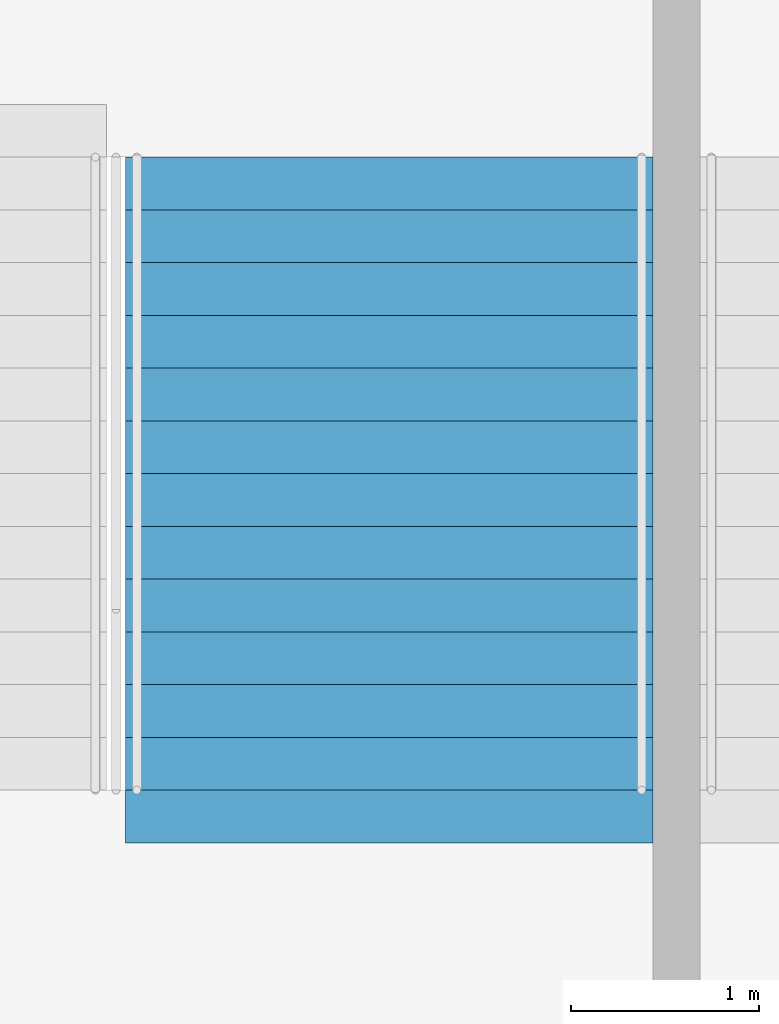
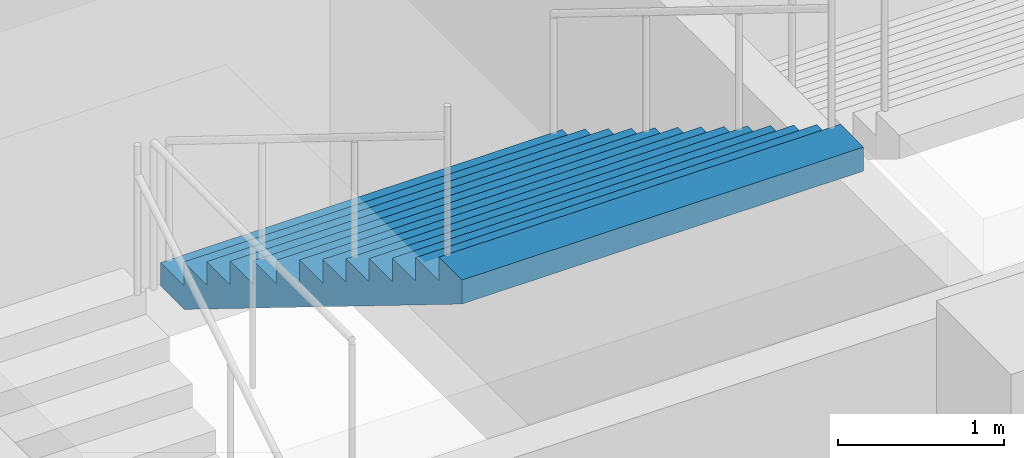
# One storey, part 168 of 199: 1 stair flight, 1 element without a shape of its own.
"""IFC4 building model written with IfcOpenShell, lengths in metres."""

from ifc_helpers import new_model, si_unit, direction, frame, origin, place, context, subcontext, project, spatial, faceted_brep, material, type_object, element, aggregate, save


model = new_model("IFC4")

# Units and contexts
model_context = context("Model", 3, precision=1e-05, world=origin(), true_north=direction((0.0, 1.0)))
body_context = subcontext(model_context, "Body", "Model", "MODEL_VIEW")
ifc_project = project(units=[si_unit("LENGTHUNIT", "METRE"), si_unit("AREAUNIT", "SQUARE_METRE"), si_unit("VOLUMEUNIT", "CUBIC_METRE"), si_unit("PLANEANGLEUNIT", "RADIAN"), si_unit("MASSUNIT", "GRAM", prefix="KILO")], contexts=[model_context])

# Site, building, storey
site_placement = place(None, origin())
site = spatial("IfcSite", under=ifc_project, at=site_placement, CompositionType="ELEMENT")
building_placement = place(site_placement, origin())
building = spatial("IfcBuilding", under=site, at=building_placement, Name="Ogive Plaza Stadium", CompositionType="ELEMENT")
storey_placement = place(building_placement, frame((0.0, 0.0, 9.0)))
storey = spatial("IfcBuildingStorey", under=building, at=storey_placement, Name="L02", CompositionType="ELEMENT", Elevation=9.0)

# Stair, stair flight
ifc_material_1 = material(Name="Concrete C40/50", Category="concrete")
stair_type = type_object("IfcStairType", Name="Exit stair", PredefinedType="STRAIGHT_RUN_STAIR", material=ifc_material_1)
stair_placement = place(storey_placement, origin())
stair = element("IfcStair", 1, at=stair_placement, inside=storey, type_object=stair_type, Name="Exit stair ST36B L02 to L03", PredefinedType="STRAIGHT_RUN_STAIR")
ifc_material_2 = material(Name="Concrete C40/50", Category="concrete")
stair_flight_type = type_object("IfcStairFlightType", Name="Exit stair flight", PredefinedType="STRAIGHT", material=ifc_material_2)
stair_flight_placement = place(storey_placement, frame((18.875, 98.2099609375, 2.25), z_axis=(0.0, 0.0, 1.0), x_axis=(0.0, -1.0, 0.0)))
stair_flight = element("IfcStairFlight", 2, at=stair_flight_placement, type_object=stair_flight_type, Name="ST36B flight 2", NumberOfRisers=13, NumberOfTreads=12, PredefinedType="STRAIGHT", RiserHeight=0.173076923, TreadLength=0.28, context=body_context, shape_type="Brep", body=[
    faceted_brep([(0.28515625, -1.39990234375, 0.0), (3.639892578125, -1.39990234375, 2.07373046875), (3.639892578125, -1.39990234375, 2.25), (3.360107421875, -1.39990234375, 2.25), (3.360107421875, -1.39990234375, 2.076904296875), (3.080078125, -1.39990234375, 2.076904296875), (3.080078125, -1.39990234375, 1.90380859375), (2.800048828125, -1.39990234375, 1.90380859375), (2.800048828125, -1.39990234375, 1.730712890625), (2.52001953125, -1.39990234375, 1.730712890625), (2.52001953125, -1.39990234375, 1.5576171875), (2.239990234375, -1.39990234375, 1.5576171875), (2.239990234375, -1.39990234375, 1.384521484375), (1.9599609375, -1.39990234375, 1.384521484375), (1.9599609375, -1.39990234375, 1.21142578125), (1.679931640625, -1.39990234375, 1.21142578125), (1.679931640625, -1.39990234375, 1.03857421875), (1.39990234375, -1.39990234375, 1.03857421875), (1.39990234375, -1.39990234375, 0.865478515625), (1.1201171875, -1.39990234375, 0.865478515625), (1.1201171875, -1.39990234375, 0.6923828125), (0.840087890625, -1.39990234375, 0.6923828125), (0.840087890625, -1.39990234375, 0.519287109375), (0.56005859375, -1.39990234375, 0.519287109375), (0.56005859375, -1.39990234375, 0.34619140625), (0.280029296875, -1.39990234375, 0.34619140625), (0.280029296875, -1.39990234375, 0.173095703125), (0.0, -1.39990234375, 0.173095703125), (0.0, -1.39990234375, 0.0), (0.0, 1.39990234375, 0.0), (0.0, 1.39990234375, 0.173095703125), (0.280029296875, 1.39990234375, 0.173095703125), (0.280029296875, 1.39990234375, 0.34619140625), (0.56005859375, 1.39990234375, 0.34619140625), (0.56005859375, 1.39990234375, 0.519287109375), (0.840087890625, 1.39990234375, 0.519287109375), (0.840087890625, 1.39990234375, 0.6923828125), (1.1201171875, 1.39990234375, 0.6923828125), (1.1201171875, 1.39990234375, 0.865478515625), (1.39990234375, 1.39990234375, 0.865478515625), (1.39990234375, 1.39990234375, 1.03857421875), (1.679931640625, 1.39990234375, 1.03857421875), (1.679931640625, 1.39990234375, 1.21142578125), (1.9599609375, 1.39990234375, 1.21142578125), (1.9599609375, 1.39990234375, 1.384521484375), (2.239990234375, 1.39990234375, 1.384521484375), (2.239990234375, 1.39990234375, 1.5576171875), (2.52001953125, 1.39990234375, 1.5576171875), (2.52001953125, 1.39990234375, 1.730712890625), (2.800048828125, 1.39990234375, 1.730712890625), (2.800048828125, 1.39990234375, 1.90380859375), (3.080078125, 1.39990234375, 1.90380859375), (3.080078125, 1.39990234375, 2.076904296875), (3.360107421875, 1.39990234375, 2.076904296875), (3.360107421875, 1.39990234375, 2.25), (3.639892578125, 1.39990234375, 2.25), (3.639892578125, 1.39990234375, 2.07373046875), (0.28515625, 1.39990234375, 0.0), (0.28515625, -1.0888671875, 0.0), (3.639892578125, -1.0888671875, 2.07373046875), (0.28515625, -0.77783203125, 0.0), (3.639892578125, -0.77783203125, 2.07373046875), (0.28515625, -0.466796875, 0.0), (3.639892578125, -0.466796875, 2.07373046875), (0.28515625, -0.155517578125, 0.0), (3.639892578125, -0.155517578125, 2.07373046875), (0.28515625, 0.155517578125, 0.0), (3.639892578125, 0.155517578125, 2.07373046875), (0.28515625, 0.466796875, 0.0), (3.639892578125, 0.466796875, 2.07373046875), (0.28515625, 0.77783203125, 0.0), (3.639892578125, 0.77783203125, 2.07373046875), (0.28515625, 1.0888671875, 0.0), (3.639892578125, 1.0888671875, 2.07373046875), (3.639892578125, -1.0888671875, 2.25), (3.639892578125, -0.77783203125, 2.25), (3.639892578125, -0.466796875, 2.25), (3.639892578125, -0.155517578125, 2.25), (3.639892578125, 0.155517578125, 2.25), (3.639892578125, 0.466796875, 2.25), (3.639892578125, 0.77783203125, 2.25), (3.639892578125, 1.0888671875, 2.25), (3.360107421875, -1.0888671875, 2.25), (3.360107421875, -0.77783203125, 2.25), (3.360107421875, -0.466796875, 2.25), (3.360107421875, -0.155517578125, 2.25), (3.360107421875, 0.155517578125, 2.25), (3.360107421875, 0.466796875, 2.25), (3.360107421875, 0.77783203125, 2.25), (3.360107421875, 1.0888671875, 2.25), (3.360107421875, -1.0888671875, 2.076904296875), (3.360107421875, -0.77783203125, 2.076904296875), (3.360107421875, -0.466796875, 2.076904296875), (3.360107421875, -0.155517578125, 2.076904296875), (3.360107421875, 0.155517578125, 2.076904296875), (3.360107421875, 0.466796875, 2.076904296875), (3.360107421875, 0.77783203125, 2.076904296875), (3.360107421875, 1.0888671875, 2.076904296875), (3.080078125, -1.0888671875, 2.076904296875), (3.080078125, -0.77783203125, 2.076904296875), (3.080078125, -0.466796875, 2.076904296875), (3.080078125, -0.155517578125, 2.076904296875), (3.080078125, 0.155517578125, 2.076904296875), (3.080078125, 0.466796875, 2.076904296875), (3.080078125, 0.77783203125, 2.076904296875), (3.080078125, 1.0888671875, 2.076904296875), (3.080078125, -1.0888671875, 1.90380859375), (3.080078125, -0.77783203125, 1.90380859375), (3.080078125, -0.466796875, 1.90380859375), (3.080078125, -0.155517578125, 1.90380859375), (3.080078125, 0.155517578125, 1.90380859375), (3.080078125, 0.466796875, 1.90380859375), (3.080078125, 0.77783203125, 1.90380859375), (3.080078125, 1.0888671875, 1.90380859375), (2.800048828125, -1.0888671875, 1.90380859375), (2.800048828125, -0.77783203125, 1.90380859375), (2.800048828125, -0.466796875, 1.90380859375), (2.800048828125, -0.155517578125, 1.90380859375), (2.800048828125, 0.155517578125, 1.90380859375), (2.800048828125, 0.466796875, 1.90380859375), (2.800048828125, 0.77783203125, 1.90380859375), (2.800048828125, 1.0888671875, 1.90380859375), (2.800048828125, -1.0888671875, 1.730712890625), (2.800048828125, -0.77783203125, 1.730712890625), (2.800048828125, -0.466796875, 1.730712890625), (2.800048828125, -0.155517578125, 1.730712890625), (2.800048828125, 0.155517578125, 1.730712890625), (2.800048828125, 0.466796875, 1.730712890625), (2.800048828125, 0.77783203125, 1.730712890625), (2.800048828125, 1.0888671875, 1.730712890625), (2.52001953125, -1.0888671875, 1.730712890625), (2.52001953125, -0.77783203125, 1.730712890625), (2.52001953125, -0.466796875, 1.730712890625), (2.52001953125, -0.155517578125, 1.730712890625), (2.52001953125, 0.155517578125, 1.730712890625), (2.52001953125, 0.466796875, 1.730712890625), (2.52001953125, 0.77783203125, 1.730712890625), (2.52001953125, 1.0888671875, 1.730712890625), (2.52001953125, -1.0888671875, 1.5576171875), (2.52001953125, -0.77783203125, 1.5576171875), (2.52001953125, -0.466796875, 1.5576171875), (2.52001953125, -0.155517578125, 1.5576171875), (2.52001953125, 0.155517578125, 1.5576171875), (2.52001953125, 0.466796875, 1.5576171875), (2.52001953125, 0.77783203125, 1.5576171875), (2.52001953125, 1.0888671875, 1.5576171875), (2.239990234375, -1.0888671875, 1.5576171875), (2.239990234375, -0.77783203125, 1.5576171875), (2.239990234375, -0.466796875, 1.5576171875), (2.239990234375, -0.155517578125, 1.5576171875), (2.239990234375, 0.155517578125, 1.5576171875), (2.239990234375, 0.466796875, 1.5576171875), (2.239990234375, 0.77783203125, 1.5576171875), (2.239990234375, 1.0888671875, 1.5576171875), (2.239990234375, -1.0888671875, 1.384521484375), (2.239990234375, -0.77783203125, 1.384521484375), (2.239990234375, -0.466796875, 1.384521484375), (2.239990234375, -0.155517578125, 1.384521484375), (2.239990234375, 0.155517578125, 1.384521484375), (2.239990234375, 0.466796875, 1.384521484375), (2.239990234375, 0.77783203125, 1.384521484375), (2.239990234375, 1.0888671875, 1.384521484375), (1.9599609375, -1.0888671875, 1.384521484375), (1.9599609375, -0.77783203125, 1.384521484375), (1.9599609375, -0.466796875, 1.384521484375), (1.9599609375, -0.155517578125, 1.384521484375), (1.9599609375, 0.155517578125, 1.384521484375), (1.9599609375, 0.466796875, 1.384521484375), (1.9599609375, 0.77783203125, 1.384521484375), (1.9599609375, 1.0888671875, 1.384521484375), (1.9599609375, -1.0888671875, 1.21142578125), (1.9599609375, -0.77783203125, 1.21142578125), (1.9599609375, -0.466796875, 1.21142578125), (1.9599609375, -0.155517578125, 1.21142578125), (1.9599609375, 0.155517578125, 1.21142578125), (1.9599609375, 0.466796875, 1.21142578125), (1.9599609375, 0.77783203125, 1.21142578125), (1.9599609375, 1.0888671875, 1.21142578125), (1.679931640625, -1.0888671875, 1.21142578125), (1.679931640625, -0.77783203125, 1.21142578125), (1.679931640625, -0.466796875, 1.21142578125), (1.679931640625, -0.155517578125, 1.21142578125), (1.679931640625, 0.155517578125, 1.21142578125), (1.679931640625, 0.466796875, 1.21142578125), (1.679931640625, 0.77783203125, 1.21142578125), (1.679931640625, 1.0888671875, 1.21142578125), (1.679931640625, -1.0888671875, 1.03857421875), (1.679931640625, -0.77783203125, 1.03857421875), (1.679931640625, -0.466796875, 1.03857421875), (1.679931640625, -0.155517578125, 1.03857421875), (1.679931640625, 0.155517578125, 1.03857421875), (1.679931640625, 0.466796875, 1.03857421875), (1.679931640625, 0.77783203125, 1.03857421875), (1.679931640625, 1.0888671875, 1.03857421875), (1.39990234375, -1.0888671875, 1.03857421875), (1.39990234375, -0.77783203125, 1.03857421875), (1.39990234375, -0.466796875, 1.03857421875), (1.39990234375, -0.155517578125, 1.03857421875), (1.39990234375, 0.155517578125, 1.03857421875), (1.39990234375, 0.466796875, 1.03857421875), (1.39990234375, 0.77783203125, 1.03857421875), (1.39990234375, 1.0888671875, 1.03857421875), (1.39990234375, -1.0888671875, 0.865478515625), (1.39990234375, -0.77783203125, 0.865478515625), (1.39990234375, -0.466796875, 0.865478515625), (1.39990234375, -0.155517578125, 0.865478515625), (1.39990234375, 0.155517578125, 0.865478515625), (1.39990234375, 0.466796875, 0.865478515625), (1.39990234375, 0.77783203125, 0.865478515625), (1.39990234375, 1.0888671875, 0.865478515625), (1.1201171875, -1.0888671875, 0.865478515625), (1.1201171875, -0.77783203125, 0.865478515625), (1.1201171875, -0.466796875, 0.865478515625), (1.1201171875, -0.155517578125, 0.865478515625), (1.1201171875, 0.155517578125, 0.865478515625), (1.1201171875, 0.466796875, 0.865478515625), (1.1201171875, 0.77783203125, 0.865478515625), (1.1201171875, 1.0888671875, 0.865478515625), (1.1201171875, -1.0888671875, 0.6923828125), (1.1201171875, -0.77783203125, 0.6923828125), (1.1201171875, -0.466796875, 0.6923828125), (1.1201171875, -0.155517578125, 0.6923828125), (1.1201171875, 0.155517578125, 0.6923828125), (1.1201171875, 0.466796875, 0.6923828125), (1.1201171875, 0.77783203125, 0.6923828125), (1.1201171875, 1.0888671875, 0.6923828125), (0.840087890625, -1.0888671875, 0.6923828125), (0.840087890625, -0.77783203125, 0.6923828125), (0.840087890625, -0.466796875, 0.6923828125), (0.840087890625, -0.155517578125, 0.6923828125), (0.840087890625, 0.155517578125, 0.6923828125), (0.840087890625, 0.466796875, 0.6923828125), (0.840087890625, 0.77783203125, 0.6923828125), (0.840087890625, 1.0888671875, 0.6923828125), (0.840087890625, -1.0888671875, 0.519287109375), (0.840087890625, -0.77783203125, 0.519287109375), (0.840087890625, -0.466796875, 0.519287109375), (0.840087890625, -0.155517578125, 0.519287109375), (0.840087890625, 0.155517578125, 0.519287109375), (0.840087890625, 0.466796875, 0.519287109375), (0.840087890625, 0.77783203125, 0.519287109375), (0.840087890625, 1.0888671875, 0.519287109375), (0.56005859375, -1.0888671875, 0.519287109375), (0.56005859375, -0.77783203125, 0.519287109375), (0.56005859375, -0.466796875, 0.519287109375), (0.56005859375, -0.155517578125, 0.519287109375), (0.56005859375, 0.155517578125, 0.519287109375), (0.56005859375, 0.466796875, 0.519287109375), (0.56005859375, 0.77783203125, 0.519287109375), (0.56005859375, 1.0888671875, 0.519287109375), (0.56005859375, -1.0888671875, 0.34619140625), (0.56005859375, -0.77783203125, 0.34619140625), (0.56005859375, -0.466796875, 0.34619140625), (0.56005859375, -0.155517578125, 0.34619140625), (0.56005859375, 0.155517578125, 0.34619140625), (0.56005859375, 0.466796875, 0.34619140625), (0.56005859375, 0.77783203125, 0.34619140625), (0.56005859375, 1.0888671875, 0.34619140625), (0.280029296875, -1.0888671875, 0.34619140625), (0.280029296875, -0.77783203125, 0.34619140625), (0.280029296875, -0.466796875, 0.34619140625), (0.280029296875, -0.155517578125, 0.34619140625), (0.280029296875, 0.155517578125, 0.34619140625), (0.280029296875, 0.466796875, 0.34619140625), (0.280029296875, 0.77783203125, 0.34619140625), (0.280029296875, 1.0888671875, 0.34619140625), (0.280029296875, -1.0888671875, 0.173095703125), (0.280029296875, -0.77783203125, 0.173095703125), (0.280029296875, -0.466796875, 0.173095703125), (0.280029296875, -0.155517578125, 0.173095703125), (0.280029296875, 0.155517578125, 0.173095703125), (0.280029296875, 0.466796875, 0.173095703125), (0.280029296875, 0.77783203125, 0.173095703125), (0.280029296875, 1.0888671875, 0.173095703125), (0.0, -1.0888671875, 0.173095703125), (0.0, -0.77783203125, 0.173095703125), (0.0, -0.466796875, 0.173095703125), (0.0, -0.155517578125, 0.173095703125), (0.0, 0.155517578125, 0.173095703125), (0.0, 0.466796875, 0.173095703125), (0.0, 0.77783203125, 0.173095703125), (0.0, 1.0888671875, 0.173095703125), (0.0, -1.0888671875, 0.0), (0.0, -0.77783203125, 0.0), (0.0, -0.466796875, 0.0), (0.0, -0.155517578125, 0.0), (0.0, 0.155517578125, 0.0), (0.0, 0.466796875, 0.0), (0.0, 0.77783203125, 0.0), (0.0, 1.0888671875, 0.0)], [[[0, 1, 2, 3, 4, 5, 6, 7, 8, 9, 10, 11, 12, 13, 14, 15, 16, 17, 18, 19, 20, 21, 22, 23, 24, 25, 26, 27, 28]], [[29, 30, 31, 32, 33, 34, 35, 36, 37, 38, 39, 40, 41, 42, 43, 44, 45, 46, 47, 48, 49, 50, 51, 52, 53, 54, 55, 56, 57]], [[0, 58, 59, 1]], [[58, 60, 61, 59]], [[60, 62, 63, 61]], [[62, 64, 65, 63]], [[64, 66, 67, 65]], [[66, 68, 69, 67]], [[68, 70, 71, 69]], [[70, 72, 73, 71]], [[72, 57, 56, 73]], [[1, 59, 74, 2]], [[59, 61, 75, 74]], [[61, 63, 76, 75]], [[63, 65, 77, 76]], [[65, 67, 78, 77]], [[67, 69, 79, 78]], [[69, 71, 80, 79]], [[71, 73, 81, 80]], [[73, 56, 55, 81]], [[2, 74, 82, 3]], [[74, 75, 83, 82]], [[75, 76, 84, 83]], [[76, 77, 85, 84]], [[77, 78, 86, 85]], [[78, 79, 87, 86]], [[79, 80, 88, 87]], [[80, 81, 89, 88]], [[81, 55, 54, 89]], [[3, 82, 90, 4]], [[82, 83, 91, 90]], [[83, 84, 92, 91]], [[84, 85, 93, 92]], [[85, 86, 94, 93]], [[86, 87, 95, 94]], [[87, 88, 96, 95]], [[88, 89, 97, 96]], [[89, 54, 53, 97]], [[4, 90, 98, 5]], [[90, 91, 99, 98]], [[91, 92, 100, 99]], [[92, 93, 101, 100]], [[93, 94, 102, 101]], [[94, 95, 103, 102]], [[95, 96, 104, 103]], [[96, 97, 105, 104]], [[97, 53, 52, 105]], [[5, 98, 106, 6]], [[98, 99, 107, 106]], [[99, 100, 108, 107]], [[100, 101, 109, 108]], [[101, 102, 110, 109]], [[102, 103, 111, 110]], [[103, 104, 112, 111]], [[104, 105, 113, 112]], [[105, 52, 51, 113]], [[6, 106, 114, 7]], [[106, 107, 115, 114]], [[107, 108, 116, 115]], [[108, 109, 117, 116]], [[109, 110, 118, 117]], [[110, 111, 119, 118]], [[111, 112, 120, 119]], [[112, 113, 121, 120]], [[113, 51, 50, 121]], [[7, 114, 122, 8]], [[114, 115, 123, 122]], [[115, 116, 124, 123]], [[116, 117, 125, 124]], [[117, 118, 126, 125]], [[118, 119, 127, 126]], [[119, 120, 128, 127]], [[120, 121, 129, 128]], [[121, 50, 49, 129]], [[8, 122, 130, 9]], [[122, 123, 131, 130]], [[123, 124, 132, 131]], [[124, 125, 133, 132]], [[125, 126, 134, 133]], [[126, 127, 135, 134]], [[127, 128, 136, 135]], [[128, 129, 137, 136]], [[129, 49, 48, 137]], [[9, 130, 138, 10]], [[130, 131, 139, 138]], [[131, 132, 140, 139]], [[132, 133, 141, 140]], [[133, 134, 142, 141]], [[134, 135, 143, 142]], [[135, 136, 144, 143]], [[136, 137, 145, 144]], [[137, 48, 47, 145]], [[10, 138, 146, 11]], [[138, 139, 147, 146]], [[139, 140, 148, 147]], [[140, 141, 149, 148]], [[141, 142, 150, 149]], [[142, 143, 151, 150]], [[143, 144, 152, 151]], [[144, 145, 153, 152]], [[145, 47, 46, 153]], [[11, 146, 154, 12]], [[146, 147, 155, 154]], [[147, 148, 156, 155]], [[148, 149, 157, 156]], [[149, 150, 158, 157]], [[150, 151, 159, 158]], [[151, 152, 160, 159]], [[152, 153, 161, 160]], [[153, 46, 45, 161]], [[12, 154, 162, 13]], [[154, 155, 163, 162]], [[155, 156, 164, 163]], [[156, 157, 165, 164]], [[157, 158, 166, 165]], [[158, 159, 167, 166]], [[159, 160, 168, 167]], [[160, 161, 169, 168]], [[161, 45, 44, 169]], [[13, 162, 170, 14]], [[162, 163, 171, 170]], [[163, 164, 172, 171]], [[164, 165, 173, 172]], [[165, 166, 174, 173]], [[166, 167, 175, 174]], [[167, 168, 176, 175]], [[168, 169, 177, 176]], [[169, 44, 43, 177]], [[14, 170, 178, 15]], [[170, 171, 179, 178]], [[171, 172, 180, 179]], [[172, 173, 181, 180]], [[173, 174, 182, 181]], [[174, 175, 183, 182]], [[175, 176, 184, 183]], [[176, 177, 185, 184]], [[177, 43, 42, 185]], [[15, 178, 186, 16]], [[178, 179, 187, 186]], [[179, 180, 188, 187]], [[180, 181, 189, 188]], [[181, 182, 190, 189]], [[182, 183, 191, 190]], [[183, 184, 192, 191]], [[184, 185, 193, 192]], [[185, 42, 41, 193]], [[16, 186, 194, 17]], [[186, 187, 195, 194]], [[187, 188, 196, 195]], [[188, 189, 197, 196]], [[189, 190, 198, 197]], [[190, 191, 199, 198]], [[191, 192, 200, 199]], [[192, 193, 201, 200]], [[193, 41, 40, 201]], [[17, 194, 202, 18]], [[194, 195, 203, 202]], [[195, 196, 204, 203]], [[196, 197, 205, 204]], [[197, 198, 206, 205]], [[198, 199, 207, 206]], [[199, 200, 208, 207]], [[200, 201, 209, 208]], [[201, 40, 39, 209]], [[18, 202, 210, 19]], [[202, 203, 211, 210]], [[203, 204, 212, 211]], [[204, 205, 213, 212]], [[205, 206, 214, 213]], [[206, 207, 215, 214]], [[207, 208, 216, 215]], [[208, 209, 217, 216]], [[209, 39, 38, 217]], [[19, 210, 218, 20]], [[210, 211, 219, 218]], [[211, 212, 220, 219]], [[212, 213, 221, 220]], [[213, 214, 222, 221]], [[214, 215, 223, 222]], [[215, 216, 224, 223]], [[216, 217, 225, 224]], [[217, 38, 37, 225]], [[20, 218, 226, 21]], [[218, 219, 227, 226]], [[219, 220, 228, 227]], [[220, 221, 229, 228]], [[221, 222, 230, 229]], [[222, 223, 231, 230]], [[223, 224, 232, 231]], [[224, 225, 233, 232]], [[225, 37, 36, 233]], [[21, 226, 234, 22]], [[226, 227, 235, 234]], [[227, 228, 236, 235]], [[228, 229, 237, 236]], [[229, 230, 238, 237]], [[230, 231, 239, 238]], [[231, 232, 240, 239]], [[232, 233, 241, 240]], [[233, 36, 35, 241]], [[22, 234, 242, 23]], [[234, 235, 243, 242]], [[235, 236, 244, 243]], [[236, 237, 245, 244]], [[237, 238, 246, 245]], [[238, 239, 247, 246]], [[239, 240, 248, 247]], [[240, 241, 249, 248]], [[241, 35, 34, 249]], [[23, 242, 250, 24]], [[242, 243, 251, 250]], [[243, 244, 252, 251]], [[244, 245, 253, 252]], [[245, 246, 254, 253]], [[246, 247, 255, 254]], [[247, 248, 256, 255]], [[248, 249, 257, 256]], [[249, 34, 33, 257]], [[24, 250, 258, 25]], [[250, 251, 259, 258]], [[251, 252, 260, 259]], [[252, 253, 261, 260]], [[253, 254, 262, 261]], [[254, 255, 263, 262]], [[255, 256, 264, 263]], [[256, 257, 265, 264]], [[257, 33, 32, 265]], [[25, 258, 266, 26]], [[258, 259, 267, 266]], [[259, 260, 268, 267]], [[260, 261, 269, 268]], [[261, 262, 270, 269]], [[262, 263, 271, 270]], [[263, 264, 272, 271]], [[264, 265, 273, 272]], [[265, 32, 31, 273]], [[26, 266, 274, 27]], [[266, 267, 275, 274]], [[267, 268, 276, 275]], [[268, 269, 277, 276]], [[269, 270, 278, 277]], [[270, 271, 279, 278]], [[271, 272, 280, 279]], [[272, 273, 281, 280]], [[273, 31, 30, 281]], [[27, 274, 282, 28]], [[274, 275, 283, 282]], [[275, 276, 284, 283]], [[276, 277, 285, 284]], [[277, 278, 286, 285]], [[278, 279, 287, 286]], [[279, 280, 288, 287]], [[280, 281, 289, 288]], [[281, 30, 29, 289]], [[28, 282, 58, 0]], [[282, 283, 60, 58]], [[283, 284, 62, 60]], [[284, 285, 64, 62]], [[285, 286, 66, 64]], [[286, 287, 68, 66]], [[287, 288, 70, 68]], [[288, 289, 72, 70]], [[289, 29, 57, 72]]]),
])
aggregate(stair, [stair_flight])

save(model, "model.ifc")
